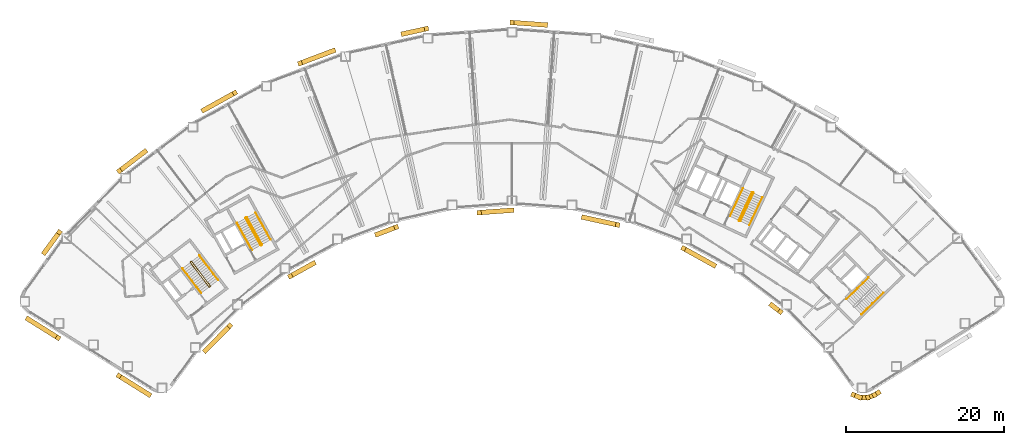
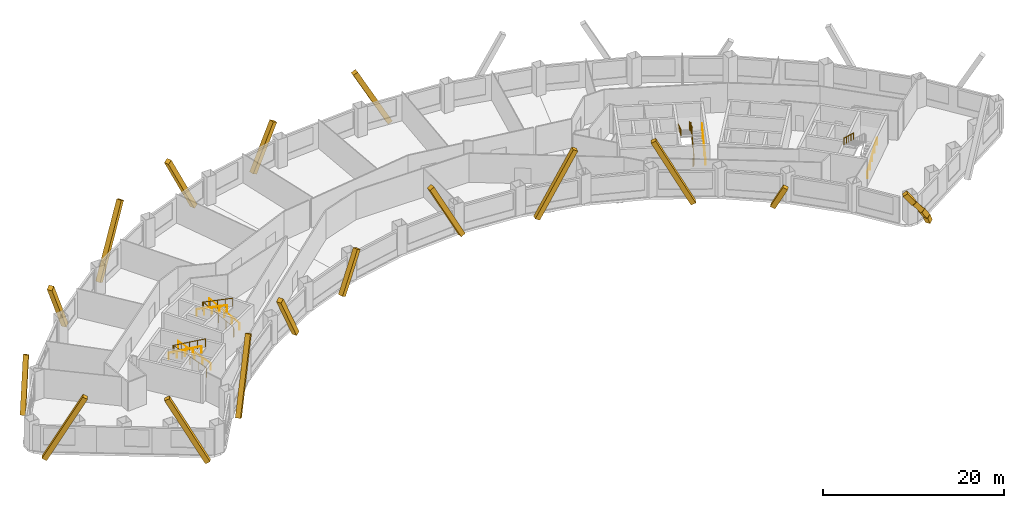
# One storey, part 10 of 11: 19 coverings, 11 railings.
"""IFC4 building model written with IfcOpenShell, lengths in metres."""

from ifc_helpers import new_model, si_unit, direction, frame, origin, origin_2d, place, context, subcontext, project, spatial, rectangle, circle, extrude, material, material_profile, profile_set, type_object, element, save


model = new_model("IFC4")

# Units and contexts
model_context = context("Model", 3, precision=1e-05, world=origin(), true_north=direction((0.0, 1.0)))
body_context = subcontext(model_context, "Body", "Model", "MODEL_VIEW")
ifc_project = project(units=[si_unit("LENGTHUNIT", "METRE"), si_unit("AREAUNIT", "SQUARE_METRE"), si_unit("VOLUMEUNIT", "CUBIC_METRE"), si_unit("PLANEANGLEUNIT", "RADIAN"), si_unit("MASSUNIT", "GRAM", prefix="KILO")], contexts=[model_context])

# Site, building, storey
site_placement = place(None, origin())
site = spatial("IfcSite", under=ifc_project, at=site_placement, CompositionType="ELEMENT")
building_placement = place(site_placement, origin())
building = spatial("IfcBuilding", under=site, at=building_placement, Name="Tuul Gate Civic Tower", CompositionType="ELEMENT")
storey_placement = place(building_placement, frame((0.0, 0.0, 65.39990234375)))
storey = spatial("IfcBuildingStorey", under=building, at=storey_placement, Name="Level 14", CompositionType="ELEMENT", Elevation=65.39990234375)

# Railings
ifc_material_1 = material(Name="Painted steel", Category="steel")
railing_type_1 = type_object("IfcRailingType", Name="Stair guard", PredefinedType="GUARDRAIL", material=ifc_material_1)
railing_1_placement = place(storey_placement, frame((-33.382080078125, -13.515380859375, 0.0)))
element("IfcRailing", 1, at=railing_1_placement, inside=storey, type_object=railing_type_1, Name="Level 14 ST-1 stair guard 1", PredefinedType="GUARDRAIL", context=body_context, shape_type="SweptSolid", body=[
    extrude(circle(Radius=0.02392578125, at=origin_2d()), frame((0.0, 0.0, 1.076171875), z_axis=(-0.795879841968, -0.605454603706, 0.0), x_axis=(0.605454603706, -0.795879841968, 0.0)), (0.0, 0.0, 1.0), 0.10009765625),
    extrude(circle(Radius=0.02392578125, at=origin_2d()), frame((-0.07958984375, -0.060546875, 1.076171875), z_axis=(0.408676696321, 0.599019267211, 0.688592241747), x_axis=(-0.826063974707, 0.563576356576, 0.0)), (0.0, 0.0, 1.0), 0.218017578125),
    extrude(circle(Radius=0.02392578125, at=origin_2d()), frame((0.009521484375, 0.070068359375, 1.22607421875), z_axis=(-0.541824460341, 0.711645023348, 0.447199748346), x_axis=(-0.795637165283, -0.60577347352, 0.0)), (0.0, 0.0, 1.0), 4.3603515625),
    extrude(circle(Radius=0.02392578125, at=origin_2d()), frame((-2.35302734375, 3.173095703125, 3.17626953125), z_axis=(-0.990893089246, 0.134650977284, 0.0), x_axis=(-0.134650977284, -0.990893089246, 0.0)), (0.0, 0.0, 1.0), 0.07080078125),
    extrude(circle(Radius=0.02392578125, at=origin_2d()), frame((-2.423095703125, 3.1826171875, 3.17626953125), z_axis=(-0.793802879778, -0.60817512943, 0.0), x_axis=(0.60817512943, -0.793802879778, 0.0)), (0.0, 0.0, 1.0), 0.099853515625),
    extrude(circle(Radius=0.02392578125, at=origin_2d()), frame((-2.50244140625, 3.121826171875, 3.17626953125), z_axis=(-0.057447065493, -0.422751481959, 0.904423031091), x_axis=(0.990893089246, -0.134650977284, 0.0)), (0.0, 0.0, 1.0), 0.165771484375),
    extrude(circle(Radius=0.02392578125, at=origin_2d()), frame((-2.511962890625, 3.0517578125, 3.326171875), z_axis=(0.541792925989, -0.711621155064, 0.447275929392), x_axis=(0.795644365679, 0.605764016233, 0.0)), (0.0, 0.0, 1.0), 4.360107421875),
    extrude(circle(Radius=0.02099609375, at=origin_2d()), origin(), (0.0, 0.0, 1.0), 1.052001953125),
    extrude(circle(Radius=0.02099609375, at=origin_2d()), frame((-0.07958984375, -0.060546875, 0.0)), (0.0, 0.0, 1.0), 1.052001953125),
    extrude(circle(Radius=0.02099609375, at=origin_2d()), frame((0.009521484375, 0.070068359375, 0.150146484375)), (0.0, 0.0, 1.0), 1.052001953125),
    extrude(circle(Radius=0.02099609375, at=origin_2d()), frame((-0.5810546875, 0.845703125, 0.6376953125)), (0.0, 0.0, 1.0), 1.052001953125),
    extrude(circle(Radius=0.02099609375, at=origin_2d()), frame((-1.171875, 1.62158203125, 1.125)), (0.0, 0.0, 1.0), 1.052001953125),
    extrude(circle(Radius=0.02099609375, at=origin_2d()), frame((-1.762451171875, 2.3974609375, 1.612548828125)), (0.0, 0.0, 1.0), 1.052001953125),
    extrude(circle(Radius=0.02099609375, at=origin_2d()), frame((-2.35302734375, 3.173095703125, 2.10009765625)), (0.0, 0.0, 1.0), 1.052001953125),
    extrude(circle(Radius=0.02099609375, at=origin_2d()), frame((-2.423095703125, 3.1826171875, 2.10009765625)), (0.0, 0.0, 1.0), 1.052001953125),
    extrude(circle(Radius=0.02099609375, at=origin_2d()), frame((-2.50244140625, 3.121826171875, 2.10009765625)), (0.0, 0.0, 1.0), 1.052001953125),
    extrude(circle(Radius=0.02099609375, at=origin_2d()), frame((-2.511962890625, 3.0517578125, 2.25)), (0.0, 0.0, 1.0), 1.052001953125),
    extrude(circle(Radius=0.02099609375, at=origin_2d()), frame((-1.92138671875, 2.276123046875, 2.737548828125)), (0.0, 0.0, 1.0), 1.052001953125),
    extrude(circle(Radius=0.02099609375, at=origin_2d()), frame((-1.330810546875, 1.50048828125, 3.22509765625)), (0.0, 0.0, 1.0), 1.052001953125),
    extrude(circle(Radius=0.02099609375, at=origin_2d()), frame((-0.740234375, 0.724609375, 3.712646484375)), (0.0, 0.0, 1.0), 1.052001953125),
    extrude(circle(Radius=0.02099609375, at=origin_2d()), frame((-0.149658203125, -0.051025390625, 4.2001953125)), (0.0, 0.0, 1.0), 1.052001953125),
])
railing_2_placement = place(storey_placement, frame((-26.857666015625, -8.247314453125, 0.0)))
element("IfcRailing", 2, at=railing_2_placement, inside=storey, type_object=railing_type_1, Name="Level 14 ST-2 stair guard 1", PredefinedType="GUARDRAIL", context=body_context, shape_type="SweptSolid", body=[
    extrude(circle(Radius=0.02392578125, at=origin_2d()), frame((0.0, 0.0, 1.076171875), z_axis=(-0.874616555828, -0.48481530532, 0.0), x_axis=(0.48481530532, -0.874616555828, 0.0)), (0.0, 0.0, 1.0), 0.10009765625),
    extrude(circle(Radius=0.02392578125, at=origin_2d()), frame((-0.087646484375, -0.048583984375, 1.076171875), z_axis=(0.490435707169, 0.534104639999, 0.688625479244), x_axis=(-0.736576986774, 0.676353711126, 0.0)), (0.0, 0.0, 1.0), 0.218017578125),
    extrude(circle(Radius=0.02392578125, at=origin_2d()), frame((0.019287109375, 0.06787109375, 1.22607421875), z_axis=(-0.43354991378, 0.782327185242, 0.447212083348), x_axis=(-0.874667644053, -0.484723129681, 0.0)), (0.0, 0.0, 1.0), 4.3603515625),
    extrude(circle(Radius=0.02392578125, at=origin_2d()), frame((-1.87109375, 3.47900390625, 3.17626953125), z_axis=(-0.961263487578, 0.275631107549, 0.0), x_axis=(-0.275631107549, -0.961263487578, 0.0)), (0.0, 0.0, 1.0), 0.07080078125),
    extrude(circle(Radius=0.02392578125, at=origin_2d()), frame((-1.939208984375, 3.49853515625, 3.17626953125), z_axis=(-0.874042088414, -0.485850211157, 0.0), x_axis=(0.485850211157, -0.874042088414, 0.0)), (0.0, 0.0, 1.0), 0.10009765625),
    extrude(circle(Radius=0.02392578125, at=origin_2d()), frame((-2.026611328125, 3.449951171875, 3.17626953125), z_axis=(-0.117866478395, -0.409586012422, 0.90462522168), x_axis=(0.961000426733, -0.276546885391, 0.0)), (0.0, 0.0, 1.0), 0.165771484375),
    extrude(circle(Radius=0.02392578125, at=origin_2d()), frame((-2.046142578125, 3.382080078125, 3.326171875), z_axis=(0.433584522764, -0.782288604346, 0.447246018574), x_axis=(0.874641102302, 0.484771020343, 0.0)), (0.0, 0.0, 1.0), 4.3603515625),
    extrude(circle(Radius=0.02099609375, at=origin_2d()), origin(), (0.0, 0.0, 1.0), 1.052001953125),
    extrude(circle(Radius=0.02099609375, at=origin_2d()), frame((-0.087646484375, -0.048583984375, 0.0)), (0.0, 0.0, 1.0), 1.052001953125),
    extrude(circle(Radius=0.02099609375, at=origin_2d()), frame((0.019287109375, 0.06787109375, 0.150146484375)), (0.0, 0.0, 1.0), 1.052001953125),
    extrude(circle(Radius=0.02099609375, at=origin_2d()), frame((-0.453369140625, 0.920654296875, 0.6376953125)), (0.0, 0.0, 1.0), 1.052001953125),
    extrude(circle(Radius=0.02099609375, at=origin_2d()), frame((-0.92578125, 1.7734375, 1.125)), (0.0, 0.0, 1.0), 1.052001953125),
    extrude(circle(Radius=0.02099609375, at=origin_2d()), frame((-1.3984375, 2.626220703125, 1.612548828125)), (0.0, 0.0, 1.0), 1.052001953125),
    extrude(circle(Radius=0.02099609375, at=origin_2d()), frame((-1.87109375, 3.47900390625, 2.10009765625)), (0.0, 0.0, 1.0), 1.052001953125),
    extrude(circle(Radius=0.02099609375, at=origin_2d()), frame((-1.939208984375, 3.49853515625, 2.10009765625)), (0.0, 0.0, 1.0), 1.052001953125),
    extrude(circle(Radius=0.02099609375, at=origin_2d()), frame((-2.026611328125, 3.449951171875, 2.10009765625)), (0.0, 0.0, 1.0), 1.052001953125),
    extrude(circle(Radius=0.02099609375, at=origin_2d()), frame((-2.046142578125, 3.382080078125, 2.25)), (0.0, 0.0, 1.0), 1.052001953125),
    extrude(circle(Radius=0.02099609375, at=origin_2d()), frame((-1.573486328125, 2.529296875, 2.737548828125)), (0.0, 0.0, 1.0), 1.052001953125),
    extrude(circle(Radius=0.02099609375, at=origin_2d()), frame((-1.100830078125, 1.676513671875, 3.22509765625)), (0.0, 0.0, 1.0), 1.052001953125),
    extrude(circle(Radius=0.02099609375, at=origin_2d()), frame((-0.628173828125, 0.82373046875, 3.712646484375)), (0.0, 0.0, 1.0), 1.052001953125),
    extrude(circle(Radius=0.02099609375, at=origin_2d()), frame((-0.155517578125, -0.029052734375, 4.2001953125)), (0.0, 0.0, 1.0), 1.052001953125),
])
railing_3_placement = place(storey_placement, frame((33.645751953125, -5.238525390625, 0.0)))
element("IfcRailing", 3, at=railing_3_placement, inside=storey, type_object=railing_type_1, Name="Level 14 ST-4 stair guard 1", PredefinedType="GUARDRAIL", context=body_context, shape_type="SweptSolid", body=[
    extrude(circle(Radius=0.02392578125, at=origin_2d()), frame((0.0, 0.0, 1.076171875), z_axis=(-0.906307919131, 0.422617978463, 0.0), x_axis=(-0.422617978463, -0.906307919131, 0.0)), (0.0, 0.0, 1.0), 0.099853515625),
    extrude(circle(Radius=0.02392578125, at=origin_2d()), frame((-0.090576171875, 0.042236328125, 1.076171875), z_axis=(0.720179819621, -0.082882280952, 0.688818956559), x_axis=(0.114330889033, 0.993442724979, 0.0)), (0.0, 0.0, 1.0), 0.218017578125),
    extrude(circle(Radius=0.02392578125, at=origin_2d()), frame((0.06640625, 0.024169921875, 1.22607421875), z_axis=(0.377946903738, 0.810654114417, 0.447209173356), x_axis=(-0.906336612539, 0.422556439746, 0.0)), (0.0, 0.0, 1.0), 4.3603515625),
    extrude(circle(Radius=0.02392578125, at=origin_2d()), frame((1.71435546875, 3.558837890625, 3.17626953125), z_axis=(-0.342020437038, 0.939692513883, 0.0), x_axis=(-0.939692513883, -0.342020437038, 0.0)), (0.0, 0.0, 1.0), 0.070556640625),
    extrude(circle(Radius=0.02392578125, at=origin_2d()), frame((1.690185546875, 3.625244140625, 3.17626953125), z_axis=(-0.906307919131, 0.422617978463, 0.0), x_axis=(-0.422617978463, -0.906307919131, 0.0)), (0.0, 0.0, 1.0), 0.099853515625),
    extrude(circle(Radius=0.02392578125, at=origin_2d()), frame((1.599609375, 3.66748046875, 3.17626953125), z_axis=(-0.40070210376, -0.145843780413, 0.904526072458), x_axis=(0.342020437038, -0.939692513883, 0.0)), (0.0, 0.0, 1.0), 0.165771484375),
    extrude(circle(Radius=0.02392578125, at=origin_2d()), frame((1.533203125, 3.643310546875, 3.326171875), z_axis=(-0.377937439636, -0.810633814971, 0.447253965602), x_axis=(0.906336612539, -0.422556439746, 0.0)), (0.0, 0.0, 1.0), 4.3603515625),
    extrude(circle(Radius=0.02099609375, at=origin_2d()), origin(), (0.0, 0.0, 1.0), 1.052001953125),
    extrude(circle(Radius=0.02099609375, at=origin_2d()), frame((-0.090576171875, 0.042236328125, 0.0)), (0.0, 0.0, 1.0), 1.052001953125),
    extrude(circle(Radius=0.02099609375, at=origin_2d()), frame((0.06640625, 0.024169921875, 0.150146484375)), (0.0, 0.0, 1.0), 1.052001953125),
    extrude(circle(Radius=0.02099609375, at=origin_2d()), frame((0.478515625, 0.90771484375, 0.6376953125)), (0.0, 0.0, 1.0), 1.052001953125),
    extrude(circle(Radius=0.02099609375, at=origin_2d()), frame((0.890380859375, 1.79150390625, 1.125)), (0.0, 0.0, 1.0), 1.052001953125),
    extrude(circle(Radius=0.02099609375, at=origin_2d()), frame((1.30224609375, 2.67529296875, 1.612548828125)), (0.0, 0.0, 1.0), 1.052001953125),
    extrude(circle(Radius=0.02099609375, at=origin_2d()), frame((1.71435546875, 3.558837890625, 2.10009765625)), (0.0, 0.0, 1.0), 1.052001953125),
    extrude(circle(Radius=0.02099609375, at=origin_2d()), frame((1.690185546875, 3.625244140625, 2.10009765625)), (0.0, 0.0, 1.0), 1.052001953125),
    extrude(circle(Radius=0.02099609375, at=origin_2d()), frame((1.599609375, 3.66748046875, 2.10009765625)), (0.0, 0.0, 1.0), 1.052001953125),
    extrude(circle(Radius=0.02099609375, at=origin_2d()), frame((1.533203125, 3.643310546875, 2.25)), (0.0, 0.0, 1.0), 1.052001953125),
    extrude(circle(Radius=0.02099609375, at=origin_2d()), frame((1.12109375, 2.759765625, 2.737548828125)), (0.0, 0.0, 1.0), 1.052001953125),
    extrude(circle(Radius=0.02099609375, at=origin_2d()), frame((0.709228515625, 1.8759765625, 3.22509765625)), (0.0, 0.0, 1.0), 1.052001953125),
    extrude(circle(Radius=0.02099609375, at=origin_2d()), frame((0.29736328125, 0.9921875, 3.712646484375)), (0.0, 0.0, 1.0), 1.052001953125),
    extrude(circle(Radius=0.02099609375, at=origin_2d()), frame((-0.11474609375, 0.108642578125, 4.2001953125)), (0.0, 0.0, 1.0), 1.052001953125),
])
ifc_material_2 = material(Name="Painted steel", Category="steel")
railing_type_2 = type_object("IfcRailingType", Name="Stair handrail", PredefinedType="HANDRAIL", material=ifc_material_2)
railing_4_placement = place(storey_placement, frame((-32.3779296875, -12.688232421875, 0.150146484375)))
element("IfcRailing", 4, at=railing_4_placement, inside=storey, type_object=railing_type_2, Name="Level 14 ST-1 stair handrail 1", PredefinedType="HANDRAIL", context=body_context, shape_type="SweptSolid", body=[
    extrude(circle(Radius=0.02392578125, at=origin_2d()), frame((0.0, 0.0, 0.8759765625), z_axis=(-0.541824460341, 0.711645023348, 0.447199748346), x_axis=(-0.795637165283, -0.60577347352, 0.0)), (0.0, 0.0, 1.0), 4.3603515625),
    extrude(circle(Radius=0.02099609375, at=origin_2d()), origin(), (0.0, 0.0, 1.0), 0.851806640625),
    extrude(circle(Radius=0.02099609375, at=origin_2d()), frame((-0.590576171875, 0.77587890625, 0.487548828125)), (0.0, 0.0, 1.0), 0.851806640625),
    extrude(circle(Radius=0.02099609375, at=origin_2d()), frame((-1.18115234375, 1.551513671875, 0.97509765625)), (0.0, 0.0, 1.0), 0.851806640625),
    extrude(circle(Radius=0.02099609375, at=origin_2d()), frame((-1.77197265625, 2.3271484375, 1.46240234375)), (0.0, 0.0, 1.0), 0.851806640625),
    extrude(circle(Radius=0.02099609375, at=origin_2d()), frame((-2.362548828125, 3.10302734375, 1.949951171875)), (0.0, 0.0, 1.0), 0.851806640625),
])
railing_5_placement = place(storey_placement, frame((-36.888671875, -11.220703125, 2.25)))
element("IfcRailing", 5, at=railing_5_placement, inside=storey, type_object=railing_type_2, Name="Level 14 ST-1 stair handrail 2", PredefinedType="HANDRAIL", context=body_context, shape_type="SweptSolid", body=[
    extrude(circle(Radius=0.02392578125, at=origin_2d()), frame((0.0, 0.0, 0.8759765625), z_axis=(0.541810893183, -0.711627203922, 0.44724454012), x_axis=(0.795637165283, 0.60577347352, 0.0)), (0.0, 0.0, 1.0), 4.3603515625),
    extrude(circle(Radius=0.02099609375, at=origin_2d()), origin(), (0.0, 0.0, 1.0), 0.851806640625),
    extrude(circle(Radius=0.02099609375, at=origin_2d()), frame((0.590576171875, -0.77587890625, 0.487548828125)), (0.0, 0.0, 1.0), 0.851806640625),
    extrude(circle(Radius=0.02099609375, at=origin_2d()), frame((1.18115234375, -1.551513671875, 0.97509765625)), (0.0, 0.0, 1.0), 0.851806640625),
    extrude(circle(Radius=0.02099609375, at=origin_2d()), frame((1.77197265625, -2.3271484375, 1.462646484375)), (0.0, 0.0, 1.0), 0.851806640625),
    extrude(circle(Radius=0.02099609375, at=origin_2d()), frame((2.362548828125, -3.10302734375, 1.9501953125)), (0.0, 0.0, 1.0), 0.851806640625),
])
railing_6_placement = place(storey_placement, frame((-25.744873046875, -7.573486328125, 0.150146484375)))
element("IfcRailing", 6, at=railing_6_placement, inside=storey, type_object=railing_type_2, Name="Level 14 ST-2 stair handrail 1", PredefinedType="HANDRAIL", context=body_context, shape_type="SweptSolid", body=[
    extrude(circle(Radius=0.02392578125, at=origin_2d()), frame((0.0, 0.0, 0.8759765625), z_axis=(-0.433595379963, 0.782308193291, 0.447201226726), x_axis=(-0.874641102302, -0.484771020343, 0.0)), (0.0, 0.0, 1.0), 4.3603515625),
    extrude(circle(Radius=0.02099609375, at=origin_2d()), origin(), (0.0, 0.0, 1.0), 0.851806640625),
    extrude(circle(Radius=0.02099609375, at=origin_2d()), frame((-0.47265625, 0.852783203125, 0.487548828125)), (0.0, 0.0, 1.0), 0.851806640625),
    extrude(circle(Radius=0.02099609375, at=origin_2d()), frame((-0.9453125, 1.70556640625, 0.97509765625)), (0.0, 0.0, 1.0), 0.851806640625),
    extrude(circle(Radius=0.02099609375, at=origin_2d()), frame((-1.41796875, 2.558349609375, 1.46240234375)), (0.0, 0.0, 1.0), 0.851806640625),
    extrude(circle(Radius=0.02099609375, at=origin_2d()), frame((-1.890625, 3.4111328125, 1.949951171875)), (0.0, 0.0, 1.0), 0.851806640625),
])
railing_7_placement = place(storey_placement, frame((-29.9970703125, -5.47119140625, 2.25)))
element("IfcRailing", 7, at=railing_7_placement, inside=storey, type_object=railing_type_2, Name="Level 14 ST-2 stair handrail 2", PredefinedType="HANDRAIL", context=body_context, shape_type="SweptSolid", body=[
    extrude(circle(Radius=0.02392578125, at=origin_2d()), frame((0.0, 0.0, 0.8759765625), z_axis=(0.433584522764, -0.782288604346, 0.447246018574), x_axis=(0.874641102302, 0.484771020343, 0.0)), (0.0, 0.0, 1.0), 4.3603515625),
    extrude(circle(Radius=0.02099609375, at=origin_2d()), origin(), (0.0, 0.0, 1.0), 0.851806640625),
    extrude(circle(Radius=0.02099609375, at=origin_2d()), frame((0.47265625, -0.852783203125, 0.487548828125)), (0.0, 0.0, 1.0), 0.851806640625),
    extrude(circle(Radius=0.02099609375, at=origin_2d()), frame((0.9453125, -1.70556640625, 0.97509765625)), (0.0, 0.0, 1.0), 0.851806640625),
    extrude(circle(Radius=0.02099609375, at=origin_2d()), frame((1.41796875, -2.558349609375, 1.462646484375)), (0.0, 0.0, 1.0), 0.851806640625),
    extrude(circle(Radius=0.02099609375, at=origin_2d()), frame((1.890625, -3.4111328125, 1.9501953125)), (0.0, 0.0, 1.0), 0.851806640625),
])
railing_8_placement = place(storey_placement, frame((49.05126953125, -17.028076171875, 0.150146484375)))
element("IfcRailing", 8, at=railing_8_placement, inside=storey, type_object=railing_type_2, Name="Level 14 ST-3 stair handrail 1", PredefinedType="HANDRAIL", context=body_context, shape_type="SweptSolid", body=[
    extrude(circle(Radius=0.02392578125, at=origin_2d()), frame((0.0, 0.0, 0.8759765625), z_axis=(0.638753653487, 0.626099522554, 0.447205945863), x_axis=(-0.699997553204, 0.714145241186, 0.0)), (0.0, 0.0, 1.0), 4.3603515625),
    extrude(circle(Radius=0.02099609375, at=origin_2d()), origin(), (0.0, 0.0, 1.0), 0.851806640625),
    extrude(circle(Radius=0.02099609375, at=origin_2d()), frame((0.6962890625, 0.6826171875, 0.487548828125)), (0.0, 0.0, 1.0), 0.851806640625),
    extrude(circle(Radius=0.02099609375, at=origin_2d()), frame((1.392578125, 1.364990234375, 0.97509765625)), (0.0, 0.0, 1.0), 0.851806640625),
    extrude(circle(Radius=0.02099609375, at=origin_2d()), frame((2.0888671875, 2.04736328125, 1.46240234375)), (0.0, 0.0, 1.0), 0.851806640625),
    extrude(circle(Radius=0.02099609375, at=origin_2d()), frame((2.78515625, 2.72998046875, 1.949951171875)), (0.0, 0.0, 1.0), 0.851806640625),
])
railing_9_placement = place(storey_placement, frame((49.9462890625, -12.369873046875, 2.25)))
element("IfcRailing", 9, at=railing_9_placement, inside=storey, type_object=railing_type_2, Name="Level 14 ST-3 stair handrail 2", PredefinedType="HANDRAIL", context=body_context, shape_type="SweptSolid", body=[
    extrude(circle(Radius=0.02392578125, at=origin_2d()), frame((0.0, 0.0, 0.8759765625), z_axis=(-0.638737658801, -0.626083844733, 0.447250737947), x_axis=(0.699997553204, -0.714145241186, 0.0)), (0.0, 0.0, 1.0), 4.3603515625),
    extrude(circle(Radius=0.02099609375, at=origin_2d()), origin(), (0.0, 0.0, 1.0), 0.851806640625),
    extrude(circle(Radius=0.02099609375, at=origin_2d()), frame((-0.6962890625, -0.6826171875, 0.487548828125)), (0.0, 0.0, 1.0), 0.851806640625),
    extrude(circle(Radius=0.02099609375, at=origin_2d()), frame((-1.392578125, -1.364990234375, 0.97509765625)), (0.0, 0.0, 1.0), 0.851806640625),
    extrude(circle(Radius=0.02099609375, at=origin_2d()), frame((-2.0888671875, -2.04736328125, 1.462646484375)), (0.0, 0.0, 1.0), 0.851806640625),
    extrude(circle(Radius=0.02099609375, at=origin_2d()), frame((-2.78515625, -2.72998046875, 1.9501953125)), (0.0, 0.0, 1.0), 0.851806640625),
])
railing_10_placement = place(storey_placement, frame((34.844970703125, -5.74267578125, 0.150146484375)))
element("IfcRailing", 10, at=railing_10_placement, inside=storey, type_object=railing_type_2, Name="Level 14 ST-4 stair handrail 1", PredefinedType="HANDRAIL", context=body_context, shape_type="SweptSolid", body=[
    extrude(circle(Radius=0.02392578125, at=origin_2d()), frame((0.0, 0.0, 0.8759765625), z_axis=(0.377994896215, 0.810636958585, 0.447199709091), x_axis=(-0.906312636903, 0.422607861012, 0.0)), (0.0, 0.0, 1.0), 4.3603515625),
    extrude(circle(Radius=0.02099609375, at=origin_2d()), origin(), (0.0, 0.0, 1.0), 0.851806640625),
    extrude(circle(Radius=0.02099609375, at=origin_2d()), frame((0.412109375, 0.8837890625, 0.487548828125)), (0.0, 0.0, 1.0), 0.851806640625),
    extrude(circle(Radius=0.02099609375, at=origin_2d()), frame((0.82421875, 1.767333984375, 0.97509765625)), (0.0, 0.0, 1.0), 0.851806640625),
    extrude(circle(Radius=0.02099609375, at=origin_2d()), frame((1.236083984375, 2.65087890625, 1.46240234375)), (0.0, 0.0, 1.0), 0.851806640625),
    extrude(circle(Radius=0.02099609375, at=origin_2d()), frame((1.648193359375, 3.53466796875, 1.949951171875)), (0.0, 0.0, 1.0), 0.851806640625),
])
railing_11_placement = place(storey_placement, frame((34.046142578125, -1.06689453125, 2.25)))
element("IfcRailing", 11, at=railing_11_placement, inside=storey, type_object=railing_type_2, Name="Level 14 ST-4 stair handrail 2", PredefinedType="HANDRAIL", context=body_context, shape_type="SweptSolid", body=[
    extrude(circle(Radius=0.02392578125, at=origin_2d()), frame((0.0, 0.0, 0.8759765625), z_axis=(-0.377985431313, -0.810616660428, 0.447244500863), x_axis=(0.906312636903, -0.422607861012, 0.0)), (0.0, 0.0, 1.0), 4.3603515625),
    extrude(circle(Radius=0.02099609375, at=origin_2d()), origin(), (0.0, 0.0, 1.0), 0.851806640625),
    extrude(circle(Radius=0.02099609375, at=origin_2d()), frame((-0.412109375, -0.8837890625, 0.487548828125)), (0.0, 0.0, 1.0), 0.851806640625),
    extrude(circle(Radius=0.02099609375, at=origin_2d()), frame((-0.82421875, -1.767333984375, 0.97509765625)), (0.0, 0.0, 1.0), 0.851806640625),
    extrude(circle(Radius=0.02099609375, at=origin_2d()), frame((-1.236083984375, -2.65087890625, 1.462646484375)), (0.0, 0.0, 1.0), 0.851806640625),
    extrude(circle(Radius=0.02099609375, at=origin_2d()), frame((-1.648193359375, -3.53466796875, 1.9501953125)), (0.0, 0.0, 1.0), 0.851806640625),
])

# Coverings
ifc_material_3 = material(Name="Terracotta baguette", Category="masonry")
ifc_material_profile = material_profile(ifc_material_3, rectangle(XDim=0.60009765625, YDim=0.60009765625, at=origin_2d()), Name="Terracotta baguette screen frame")
ifc_profile_set = profile_set([ifc_material_profile], Name="Terracotta baguette")
covering_type = type_object("IfcCoveringType", Name="Terracotta baguette screen frame", PredefinedType="CLADDING", material=ifc_profile_set)
covering_1_placement = place(storey_placement, frame((4.80810546875, 19.909912109375, 7.552734375), z_axis=(0.473916402308, -0.034305523673, -0.879901343714), x_axis=(0.072198379496, 0.99739029171, 0.0)))
element("IfcCovering", 12, at=covering_1_placement, inside=storey, type_object=covering_type, Name="Baguette 74", PredefinedType="CLADDING", context=body_context, shape_type="SweptSolid", body=[
    extrude(rectangle(XDim=0.60009765625, YDim=0.60009765625, at=origin_2d()), origin(), (0.0, 0.0, 1.0), 8.981201171875),
])
covering_2_placement = place(storey_placement, frame((-6.014404296875, 19.126220703125, 5.25439453125), z_axis=(-0.464037359849, -0.102267609126, -0.879892416599), x_axis=(0.21522186499, -0.976565178997, 0.0)))
element("IfcCovering", 13, at=covering_2_placement, inside=storey, type_object=covering_type, Name="Baguette 80", PredefinedType="CLADDING", context=body_context, shape_type="SweptSolid", body=[
    extrude(rectangle(XDim=0.60009765625, YDim=0.60009765625, at=origin_2d()), origin(), (0.0, 0.0, 1.0), 6.369140625),
])
covering_3_placement = place(storey_placement, frame((-22.021240234375, 14.744873046875, 8.050048828125), z_axis=(0.444449007562, 0.168071746228, -0.879895998284), x_axis=(-0.353711403676, 0.935354608108, 0.0)))
element("IfcCovering", 14, at=covering_3_placement, inside=storey, type_object=covering_type, Name="Baguette 95", PredefinedType="CLADDING", context=body_context, shape_type="SweptSolid", body=[
    extrude(rectangle(XDim=0.60009765625, YDim=0.60009765625, at=origin_2d()), origin(), (0.0, 0.0, 1.0), 9.54638671875),
])
covering_4_placement = place(storey_placement, frame((-30.263916015625, 11.0107421875, 8.050048828125), z_axis=(-0.415599156496, -0.23036842051, -0.879890750009), x_axis=(0.484806475071, -0.874621450531, 0.0)))
element("IfcCovering", 15, at=covering_4_placement, inside=storey, type_object=covering_type, Name="Baguette 101", PredefinedType="CLADDING", context=body_context, shape_type="SweptSolid", body=[
    extrude(rectangle(XDim=0.60009765625, YDim=0.60009765625, at=origin_2d()), origin(), (0.0, 0.0, 1.0), 9.546630859375),
])
covering_5_placement = place(storey_placement, frame((-44.885498046875, 1.117919921875, 7.222412109375), z_axis=(0.378046563043, 0.287861209305, -0.879895857672), x_axis=(-0.605811142547, 0.795608483845, 0.0)))
element("IfcCovering", 16, at=covering_5_placement, inside=storey, type_object=covering_type, Name="Baguette 116", PredefinedType="CLADDING", context=body_context, shape_type="SweptSolid", body=[
    extrude(rectangle(XDim=0.60009765625, YDim=0.60009765625, at=origin_2d()), origin(), (0.0, 0.0, 1.0), 8.60595703125),
])
covering_6_placement = place(storey_placement, frame((-52.481689453125, -6.630859375, 5.584716796875), z_axis=(-0.281331502522, -0.38524446207, -0.878885254247), x_axis=(0.807584108669, -0.589752411971, 0.0)))
element("IfcCovering", 17, at=covering_6_placement, inside=storey, type_object=covering_type, Name="Baguette 122", PredefinedType="CLADDING", context=body_context, shape_type="SweptSolid", body=[
    extrude(rectangle(XDim=0.60009765625, YDim=0.60009765625, at=origin_2d()), origin(), (0.0, 0.0, 1.0), 6.75244140625),
])
for number, where, z_axis, x_axis, name in (
    (18, (-52.63720703125, -20.0029296875, 8.050048828125), (-0.402314470661, 0.251382579131, -0.8803123682), (-0.529901976461, -0.848058898511, 0.0), "Baguette 149"),
    (19, (-44.9599609375, -24.80029296875, 8.050048828125), (0.402314470661, -0.251382579131, -0.8803123682), (0.529901976461, 0.848058898511, 0.0), "Baguette 153"),
):
    element("IfcCovering", number, at=place(storey_placement, frame(where, z_axis=z_axis, x_axis=x_axis)), inside=storey, type_object=covering_type, Name=name, PredefinedType="CLADDING", context=body_context, shape_type="SweptSolid", body=[
        extrude(rectangle(XDim=0.60009765625, YDim=0.60009765625, at=origin_2d()), origin(), (0.0, 0.0, 1.0), 9.5419921875),
    ])
covering_7_placement = place(storey_placement, frame((-30.899658203125, -18.470703125, 8.050048828125), z_axis=(-0.326356322385, -0.332861849455, -0.884700254333), x_axis=(0.714050130155, -0.700094573344, 0.0)))
element("IfcCovering", 20, at=covering_7_placement, inside=storey, type_object=covering_type, Name="Baguette 180", PredefinedType="CLADDING", context=body_context, shape_type="SweptSolid", body=[
    extrude(rectangle(XDim=0.60009765625, YDim=0.60009765625, at=origin_2d()), origin(), (0.0, 0.0, 1.0), 9.49462890625),
])
covering_8_placement = place(storey_placement, frame((-23.260986328125, -12.20458984375, 6.06201171875), z_axis=(0.407733343986, 0.225998265433, -0.884691078413), x_axis=(-0.48478990003, 0.874630637943, 0.0)))
element("IfcCovering", 21, at=covering_8_placement, inside=storey, type_object=covering_type, Name="Baguette 187", PredefinedType="CLADDING", context=body_context, shape_type="SweptSolid", body=[
    extrude(rectangle(XDim=0.60009765625, YDim=0.60009765625, at=origin_2d()), origin(), (0.0, 0.0, 1.0), 7.24755859375),
])
covering_9_placement = place(storey_placement, frame((-9.83447265625, -5.984619140625, 4.59521484375), z_axis=(-0.436036183955, -0.164883962179, -0.884695272565), x_axis=(0.353699371155, -0.935359158209, 0.0)))
element("IfcCovering", 22, at=covering_9_placement, inside=storey, type_object=covering_type, Name="Baguette 205", PredefinedType="CLADDING", context=body_context, shape_type="SweptSolid", body=[
    extrude(rectangle(XDim=0.60009765625, YDim=0.60009765625, at=origin_2d()), origin(), (0.0, 0.0, 1.0), 5.589599609375),
])
covering_10_placement = place(storey_placement, frame((0.655517578125, -4.15283203125, 8.050048828125), z_axis=(0.46493127376, 0.03367601442, -0.884706073638), x_axis=(-0.072242980808, 0.99738706214, 0.0)))
element("IfcCovering", 23, at=covering_10_placement, inside=storey, type_object=covering_type, Name="Baguette 212", PredefinedType="CLADDING", context=body_context, shape_type="SweptSolid", body=[
    extrude(rectangle(XDim=0.60009765625, YDim=0.60009765625, at=origin_2d()), origin(), (0.0, 0.0, 1.0), 8.931640625),
])
for number, where, z_axis, x_axis, name in (
    (24, (18.185546875, -5.705810546875, 8.050048828125), (-0.455234189587, 0.100308889154, -0.884703317156), (-0.215183772558, -0.976573573279, 0.0), "Baguette 228"),
    (25, (26.51025390625, -8.675537109375, 8.050048828125), (0.407692626751, -0.225998769884, -0.884709714033), (0.484827764604, 0.874609649312, 0.0), "Baguette 236"),
):
    element("IfcCovering", number, at=place(storey_placement, frame(where, z_axis=z_axis, x_axis=x_axis)), inside=storey, type_object=covering_type, Name=name, PredefinedType="CLADDING", context=body_context, shape_type="SweptSolid", body=[
        extrude(rectangle(XDim=0.60009765625, YDim=0.60009765625, at=origin_2d()), origin(), (0.0, 0.0, 1.0), 9.49462890625),
    ])
covering_11_placement = place(storey_placement, frame((38.7783203125, -16.69873046875, 2.343994140625), z_axis=(-0.370838431522, 0.282398476934, -0.884720271008), x_axis=(-0.60584625249, -0.795581748372, 0.0)))
element("IfcCovering", 26, at=covering_11_placement, inside=storey, type_object=covering_type, Name="Baguette 251", PredefinedType="CLADDING", context=body_context, shape_type="SweptSolid", body=[
    extrude(rectangle(XDim=0.60009765625, YDim=0.60009765625, at=origin_2d()), origin(), (0.0, 0.0, 1.0), 3.044921875),
])
covering_12_placement = place(storey_placement, frame((47.974853515625, -27.19140625, 4.61083984375), z_axis=(0.559872215963, -0.223011482189, -0.798003120673), x_axis=(0.370049373719, 0.929012088732, 0.0)))
element("IfcCovering", 27, at=covering_12_placement, inside=storey, type_object=covering_type, Name="Baguette 260", PredefinedType="CLADDING", context=body_context, shape_type="SweptSolid", body=[
    extrude(rectangle(XDim=0.60009765625, YDim=0.60009765625, at=origin_2d()), origin(), (0.0, 0.0, 1.0), 1.61474609375),
])
covering_13_placement = place(storey_placement, frame((48.87890625, -27.551513671875, 3.322265625), z_axis=(0.602872719251, -0.001813605573, -0.797835318357), x_axis=(0.003008259138, 0.999995475178, 0.0)))
element("IfcCovering", 28, at=covering_13_placement, inside=storey, type_object=covering_type, Name="Baguette 261", PredefinedType="CLADDING", context=body_context, shape_type="SweptSolid", body=[
    extrude(rectangle(XDim=0.60009765625, YDim=0.60009765625, at=origin_2d()), origin(), (0.0, 0.0, 1.0), 1.615478515625),
])
covering_14_placement = place(storey_placement, frame((49.852783203125, -27.554443359375, 2.033447265625), z_axis=(0.534010599825, 0.208015756909, -0.819488940836), x_axis=(-0.362969067807, 0.931801188997, 0.0)))
element("IfcCovering", 29, at=covering_14_placement, inside=storey, type_object=covering_type, Name="Baguette 262", PredefinedType="CLADDING", context=body_context, shape_type="SweptSolid", body=[
    extrude(rectangle(XDim=0.60009765625, YDim=0.60009765625, at=origin_2d()), origin(), (0.0, 0.0, 1.0), 1.57275390625),
])
covering_15_placement = place(storey_placement, frame((50.692626953125, -27.227294921875, 0.74462890625), z_axis=(0.402516822649, 0.251327577068, -0.880235568748), x_axis=(-0.529626959981, 0.848230678095, 0.0)))
element("IfcCovering", 30, at=covering_15_placement, inside=storey, type_object=covering_type, Name="Baguette 263", PredefinedType="CLADDING", context=body_context, shape_type="SweptSolid", body=[
    extrude(rectangle(XDim=0.60009765625, YDim=0.60009765625, at=origin_2d()), origin(), (0.0, 0.0, 1.0), 1.243408203125),
])

save(model, "model.ifc")
